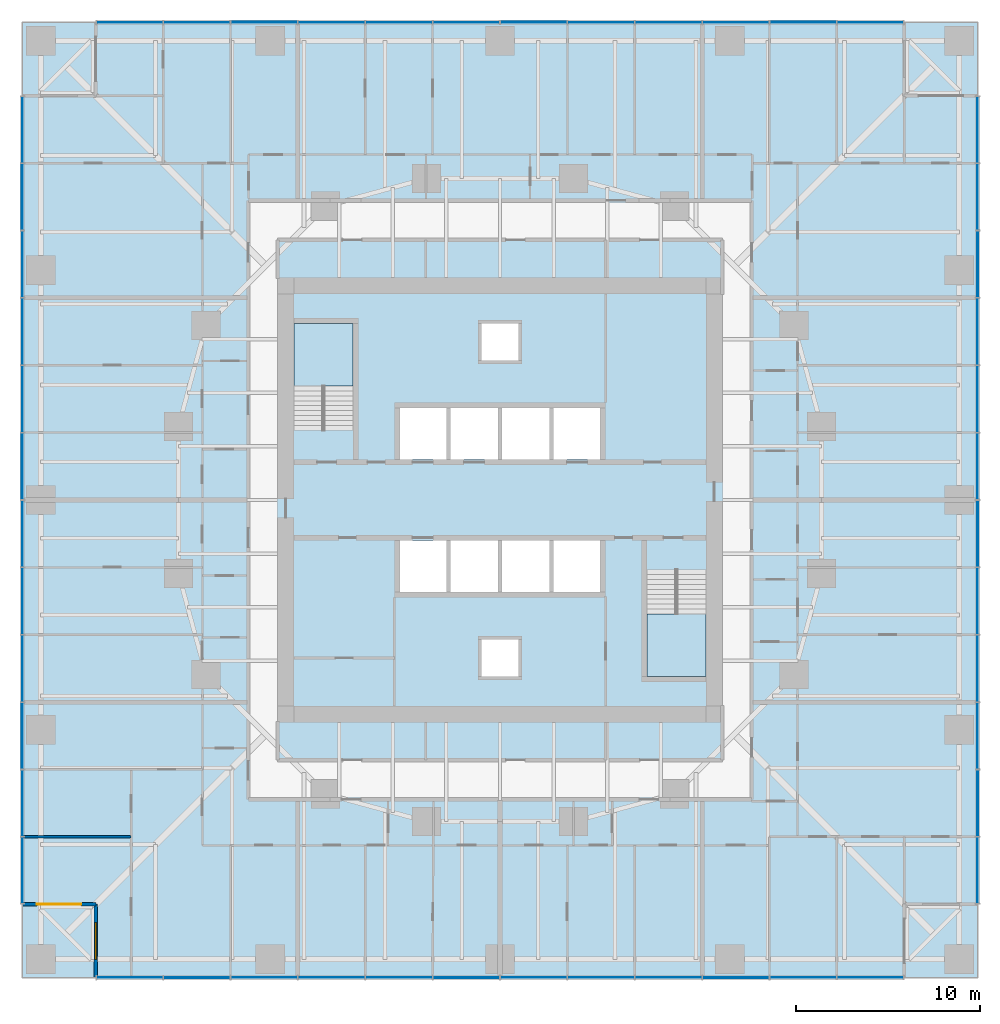
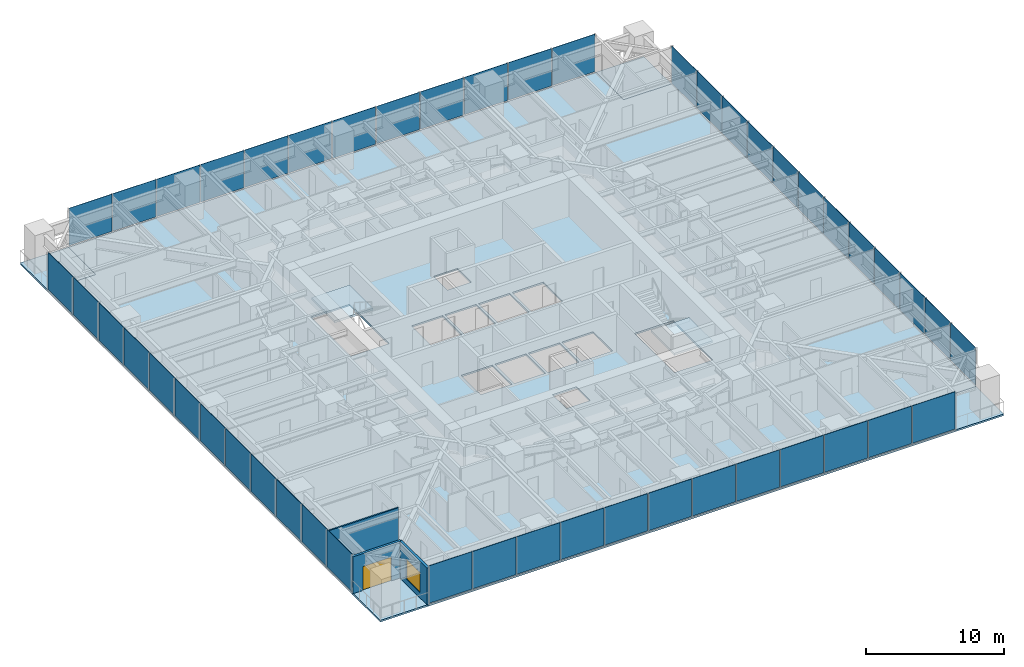
# One storey, part 7 of 14: 48 plates, 7 slabs, 3 walls, 1 door, 1 window, 2 openings, 6 elements without a shape of their own.
"""IFC4 building model written with IfcOpenShell, lengths in metres."""

from ifc_helpers import new_model, si_unit, direction, frame, frame_2d, origin, origin_2d, place, context, subcontext, project, spatial, polyline, rectangle, outline, extrude, material, layer, layer_set, type_object, element, fill, aggregate, save


model = new_model("IFC4")

# Units and contexts
model_context = context("Model", 3, precision=1e-05, world=origin(), true_north=direction((0.0, 1.0)))
body_context = subcontext(model_context, "Body", "Model", "MODEL_VIEW")
ifc_project = project(units=[si_unit("LENGTHUNIT", "METRE"), si_unit("AREAUNIT", "SQUARE_METRE"), si_unit("VOLUMEUNIT", "CUBIC_METRE"), si_unit("PLANEANGLEUNIT", "RADIAN"), si_unit("MASSUNIT", "GRAM", prefix="KILO")], contexts=[model_context])

# Site, building, storey
site_placement = place(None, origin())
site = spatial("IfcSite", under=ifc_project, at=site_placement, CompositionType="ELEMENT")
building_placement = place(site_placement, origin())
building = spatial("IfcBuilding", under=site, at=building_placement, Name="Torsade Residences", CompositionType="ELEMENT")
storey_placement = place(building_placement, frame((0.0, 0.0, 32.0)))
storey = spatial("IfcBuildingStorey", under=building, at=storey_placement, Name="L08", CompositionType="ELEMENT", Elevation=32.0)

# Slab
ifc_material_1 = material(Name="Concrete 40 MPa", Category="concrete")
ifc_layer_1 = layer(ifc_material_1, 0.14990234375)
ifc_layer_set_1 = layer_set([ifc_layer_1], Name="Concrete 40 MPa")
slab_type_1 = type_object("IfcSlabType", Name="COMPOSITE FLOOR SLAB 150", PredefinedType="FLOOR", material=ifc_layer_set_1)
slab_1_placement = place(storey_placement, frame((0.0, 0.0, -0.14990234375)))
element("IfcSlab", 1, at=slab_1_placement, inside=storey, type_object=slab_type_1, Name="Floor slab L08", PredefinedType="FLOOR", context=body_context, shape_type="SweptSolid", body=[
    extrude(outline(polyline([(18.0, 4.0), (62.0, 4.0), (62.0, 8.0), (66.0, 8.0), (66.0, 52.0), (62.0, 52.0), (62.0, 56.0), (18.0, 56.0), (18.0, 52.0), (14.0, 52.0), (14.0, 8.0), (18.0, 8.0), (18.0, 4.0)]), holes=[polyline([(51.199951171875, 20.39990234375), (51.199951171875, 26.1201171875), (48.0, 26.1201171875), (48.0, 20.39990234375), (51.199951171875, 20.39990234375)]), polyline([(45.5, 27.800048828125), (42.89990234375, 27.800048828125), (42.89990234375, 25.0), (45.5, 25.0), (45.5, 27.800048828125)]), polyline([(45.5, 32.199951171875), (45.5, 35.0), (42.89990234375, 35.0), (42.89990234375, 32.199951171875), (45.5, 32.199951171875)]), polyline([(42.699951171875, 25.0), (42.699951171875, 27.800048828125), (40.10009765625, 27.800048828125), (40.10009765625, 25.0), (42.699951171875, 25.0)]), polyline([(42.699951171875, 32.199951171875), (42.699951171875, 35.0), (40.10009765625, 35.0), (40.10009765625, 32.199951171875), (42.699951171875, 32.199951171875)]), polyline([(41.0, 22.39990234375), (39.0, 22.39990234375), (39.0, 20.39990234375), (41.0, 20.39990234375), (41.0, 22.39990234375)]), polyline([(41.0, 37.60009765625), (41.0, 39.60009765625), (39.0, 39.60009765625), (39.0, 37.60009765625), (41.0, 37.60009765625)]), polyline([(39.89990234375, 25.0), (39.89990234375, 27.800048828125), (37.300048828125, 27.800048828125), (37.300048828125, 25.0), (39.89990234375, 25.0)]), polyline([(39.89990234375, 35.0), (37.300048828125, 35.0), (37.300048828125, 32.199951171875), (39.89990234375, 32.199951171875), (39.89990234375, 35.0)]), polyline([(37.10009765625, 27.800048828125), (34.5, 27.800048828125), (34.5, 25.0), (37.10009765625, 25.0), (37.10009765625, 27.800048828125)]), polyline([(37.10009765625, 32.199951171875), (37.10009765625, 35.0), (34.5, 35.0), (34.5, 32.199951171875), (37.10009765625, 32.199951171875)]), polyline([(32.0, 33.8798828125), (32.0, 39.60009765625), (28.800048828125, 39.60009765625), (28.800048828125, 33.8798828125), (32.0, 33.8798828125)])]), origin(), (0.0, 0.0, 1.0), 0.14990234375),
])

# Curtain wall, plates
ifc_material_2 = material(Name="Aluminium and glass", Category="aluminium")
curtain_wall_type = type_object("IfcCurtainWallType", Name="FRITTED GLASS CURTAIN WALL LOW ZONE", PredefinedType="NOTDEFINED", material=ifc_material_2)
curtain_wall_1_placement = place(storey_placement, origin())
curtain_wall_1 = element("IfcCurtainWall", 2, at=curtain_wall_1_placement, inside=storey, type_object=curtain_wall_type, Name="Curtain wall L08 face 1", PredefinedType="NOTDEFINED")
ifc_material_3 = material(Name="Laminated glass", Category="glass")
ifc_layer_2 = layer(ifc_material_3, 0.031982421875)
ifc_layer_set_2 = layer_set([ifc_layer_2], Name="Laminated glass")
plate_type_1 = type_object("IfcPlateType", Name="FRITTED GLASS PANEL", PredefinedType="CURTAIN_PANEL", material=ifc_layer_set_2)
plate_1_placement = place(storey_placement, frame((19.849609375, 4.0, 0.10009765625), z_axis=(0.0, 0.0, 1.0), x_axis=(1.0, 0.0, 0.0)))
plate_1 = element("IfcPlate", 3, at=plate_1_placement, type_object=plate_type_1, Name="Panel 1", PredefinedType="CURTAIN_PANEL", context=body_context, shape_type="SweptSolid", body=[
    extrude(rectangle(XDim=3.569091796875, YDim=0.031982421875, at=origin_2d()), origin(), (0.0, 0.0, 1.0), 3.300048828125),
])
plate_2_placement = place(storey_placement, frame((27.166748046875, 4.0, 0.10009765625), z_axis=(0.0, 0.0, 1.0), x_axis=(1.0, 0.0, 0.0)))
plate_2 = element("IfcPlate", 4, at=plate_2_placement, type_object=plate_type_1, Name="Panel 3", PredefinedType="CURTAIN_PANEL", context=body_context, shape_type="SweptSolid", body=[
    extrude(rectangle(XDim=3.6015625, YDim=0.031982421875, at=origin_2d()), origin(), (0.0, 0.0, 1.0), 3.300048828125),
])
plate_3_placement = place(storey_placement, frame((30.833251953125, 4.0, 0.10009765625), z_axis=(0.0, 0.0, 1.0), x_axis=(1.0, 0.0, 0.0)))
plate_3 = element("IfcPlate", 5, at=plate_3_placement, type_object=plate_type_1, Name="Panel 4", PredefinedType="CURTAIN_PANEL", context=body_context, shape_type="SweptSolid", body=[
    extrude(rectangle(XDim=3.6015625, YDim=0.031982421875, at=origin_2d()), origin(), (0.0, 0.0, 1.0), 3.300048828125),
])
plate_4_placement = place(storey_placement, frame((34.5, 4.0, 0.10009765625), z_axis=(0.0, 0.0, 1.0), x_axis=(1.0, 0.0, 0.0)))
plate_4 = element("IfcPlate", 6, at=plate_4_placement, type_object=plate_type_1, Name="Panel 5", PredefinedType="CURTAIN_PANEL", context=body_context, shape_type="SweptSolid", body=[
    extrude(rectangle(XDim=3.6015625, YDim=0.031982421875, at=origin_2d()), origin(), (0.0, 0.0, 1.0), 3.300048828125),
])
plate_5_placement = place(storey_placement, frame((41.833251953125, 4.0, 0.10009765625), z_axis=(0.0, 0.0, 1.0), x_axis=(1.0, 0.0, 0.0)))
plate_5 = element("IfcPlate", 7, at=plate_5_placement, type_object=plate_type_1, Name="Panel 7", PredefinedType="CURTAIN_PANEL", context=body_context, shape_type="SweptSolid", body=[
    extrude(rectangle(XDim=3.6015625, YDim=0.031982421875, at=origin_2d()), origin(), (0.0, 0.0, 1.0), 3.300048828125),
])
plate_6_placement = place(storey_placement, frame((45.5, 4.0, 0.10009765625), z_axis=(0.0, 0.0, 1.0), x_axis=(1.0, 0.0, 0.0)))
plate_6 = element("IfcPlate", 8, at=plate_6_placement, type_object=plate_type_1, Name="Panel 8", PredefinedType="CURTAIN_PANEL", context=body_context, shape_type="SweptSolid", body=[
    extrude(rectangle(XDim=3.6015625, YDim=0.031982421875, at=origin_2d()), origin(), (0.0, 0.0, 1.0), 3.300048828125),
])
plate_7_placement = place(storey_placement, frame((49.166748046875, 4.0, 0.10009765625), z_axis=(0.0, 0.0, 1.0), x_axis=(1.0, 0.0, 0.0)))
plate_7 = element("IfcPlate", 9, at=plate_7_placement, type_object=plate_type_1, Name="Panel 9", PredefinedType="CURTAIN_PANEL", context=body_context, shape_type="SweptSolid", body=[
    extrude(rectangle(XDim=3.6015625, YDim=0.031982421875, at=origin_2d()), origin(), (0.0, 0.0, 1.0), 3.300048828125),
])
plate_8_placement = place(storey_placement, frame((56.5, 4.0, 0.10009765625), z_axis=(0.0, 0.0, 1.0), x_axis=(1.0, 0.0, 0.0)))
plate_8 = element("IfcPlate", 10, at=plate_8_placement, type_object=plate_type_1, Name="Panel 11", PredefinedType="CURTAIN_PANEL", context=body_context, shape_type="SweptSolid", body=[
    extrude(rectangle(XDim=3.6015625, YDim=0.031982421875, at=origin_2d()), origin(), (0.0, 0.0, 1.0), 3.300048828125),
])
plate_9_placement = place(storey_placement, frame((60.150390625, 4.0, 0.10009765625), z_axis=(0.0, 0.0, 1.0), x_axis=(1.0, 0.0, 0.0)))
plate_9 = element("IfcPlate", 11, at=plate_9_placement, type_object=plate_type_1, Name="Panel 12", PredefinedType="CURTAIN_PANEL", context=body_context, shape_type="SweptSolid", body=[
    extrude(rectangle(XDim=3.569091796875, YDim=0.031982421875, at=origin_2d()), origin(), (0.0, 0.0, 1.0), 3.300048828125),
])

curtain_wall_2_placement = place(storey_placement, origin())
curtain_wall_2 = element("IfcCurtainWall", 12, at=curtain_wall_2_placement, inside=storey, type_object=curtain_wall_type, Name="Curtain wall L08 face 4", PredefinedType="NOTDEFINED")
plate_10_placement = place(storey_placement, frame((66.0, 9.849609375, 0.10009765625), z_axis=(0.0, 0.0, 1.0), x_axis=(0.0, 1.0, 0.0)))
plate_10 = element("IfcPlate", 13, at=plate_10_placement, type_object=plate_type_1, Name="Panel 1", PredefinedType="CURTAIN_PANEL", context=body_context, shape_type="SweptSolid", body=[
    extrude(rectangle(XDim=3.569091796875, YDim=0.031982421875, at=origin_2d()), origin(), (0.0, 0.0, 1.0), 3.300048828125),
])
plate_11_placement = place(storey_placement, frame((66.0, 17.166748046875, 0.10009765625), z_axis=(0.0, 0.0, 1.0), x_axis=(0.0, 1.0, 0.0)))
plate_11 = element("IfcPlate", 14, at=plate_11_placement, type_object=plate_type_1, Name="Panel 3", PredefinedType="CURTAIN_PANEL", context=body_context, shape_type="SweptSolid", body=[
    extrude(rectangle(XDim=3.6015625, YDim=0.031982421875, at=origin_2d()), origin(), (0.0, 0.0, 1.0), 3.300048828125),
])
plate_12_placement = place(storey_placement, frame((66.0, 20.833251953125, 0.10009765625), z_axis=(0.0, 0.0, 1.0), x_axis=(0.0, 1.0, 0.0)))
plate_12 = element("IfcPlate", 15, at=plate_12_placement, type_object=plate_type_1, Name="Panel 4", PredefinedType="CURTAIN_PANEL", context=body_context, shape_type="SweptSolid", body=[
    extrude(rectangle(XDim=3.6015625, YDim=0.031982421875, at=origin_2d()), origin(), (0.0, 0.0, 1.0), 3.300048828125),
])
plate_13_placement = place(storey_placement, frame((66.0, 24.5, 0.10009765625), z_axis=(0.0, 0.0, 1.0), x_axis=(0.0, 1.0, 0.0)))
plate_13 = element("IfcPlate", 16, at=plate_13_placement, type_object=plate_type_1, Name="Panel 5", PredefinedType="CURTAIN_PANEL", context=body_context, shape_type="SweptSolid", body=[
    extrude(rectangle(XDim=3.6015625, YDim=0.031982421875, at=origin_2d()), origin(), (0.0, 0.0, 1.0), 3.300048828125),
])
plate_14_placement = place(storey_placement, frame((66.0, 31.833251953125, 0.10009765625), z_axis=(0.0, 0.0, 1.0), x_axis=(0.0, 1.0, 0.0)))
plate_14 = element("IfcPlate", 17, at=plate_14_placement, type_object=plate_type_1, Name="Panel 7", PredefinedType="CURTAIN_PANEL", context=body_context, shape_type="SweptSolid", body=[
    extrude(rectangle(XDim=3.6015625, YDim=0.031982421875, at=origin_2d()), origin(), (0.0, 0.0, 1.0), 3.300048828125),
])
plate_15_placement = place(storey_placement, frame((66.0, 35.5, 0.10009765625), z_axis=(0.0, 0.0, 1.0), x_axis=(0.0, 1.0, 0.0)))
plate_15 = element("IfcPlate", 18, at=plate_15_placement, type_object=plate_type_1, Name="Panel 8", PredefinedType="CURTAIN_PANEL", context=body_context, shape_type="SweptSolid", body=[
    extrude(rectangle(XDim=3.6015625, YDim=0.031982421875, at=origin_2d()), origin(), (0.0, 0.0, 1.0), 3.300048828125),
])
plate_16_placement = place(storey_placement, frame((66.0, 39.166748046875, 0.10009765625), z_axis=(0.0, 0.0, 1.0), x_axis=(0.0, 1.0, 0.0)))
plate_16 = element("IfcPlate", 19, at=plate_16_placement, type_object=plate_type_1, Name="Panel 9", PredefinedType="CURTAIN_PANEL", context=body_context, shape_type="SweptSolid", body=[
    extrude(rectangle(XDim=3.6015625, YDim=0.031982421875, at=origin_2d()), origin(), (0.0, 0.0, 1.0), 3.300048828125),
])
plate_17_placement = place(storey_placement, frame((66.0, 46.5, 0.10009765625), z_axis=(0.0, 0.0, 1.0), x_axis=(0.0, 1.0, 0.0)))
plate_17 = element("IfcPlate", 20, at=plate_17_placement, type_object=plate_type_1, Name="Panel 11", PredefinedType="CURTAIN_PANEL", context=body_context, shape_type="SweptSolid", body=[
    extrude(rectangle(XDim=3.6015625, YDim=0.031982421875, at=origin_2d()), origin(), (0.0, 0.0, 1.0), 3.300048828125),
])
plate_18_placement = place(storey_placement, frame((66.0, 50.150390625, 0.10009765625), z_axis=(0.0, 0.0, 1.0), x_axis=(0.0, 1.0, 0.0)))
plate_18 = element("IfcPlate", 21, at=plate_18_placement, type_object=plate_type_1, Name="Panel 12", PredefinedType="CURTAIN_PANEL", context=body_context, shape_type="SweptSolid", body=[
    extrude(rectangle(XDim=3.569091796875, YDim=0.031982421875, at=origin_2d()), origin(), (0.0, 0.0, 1.0), 3.300048828125),
])

curtain_wall_3_placement = place(storey_placement, origin())
curtain_wall_3 = element("IfcCurtainWall", 22, at=curtain_wall_3_placement, inside=storey, type_object=curtain_wall_type, Name="Curtain wall L08 face 7", PredefinedType="NOTDEFINED")
plate_19_placement = place(storey_placement, frame((60.150390625, 56.0, 0.10009765625), z_axis=(0.0, 0.0, 1.0), x_axis=(-1.0, 0.0, 0.0)))
plate_19 = element("IfcPlate", 23, at=plate_19_placement, type_object=plate_type_1, Name="Panel 1", PredefinedType="CURTAIN_PANEL", context=body_context, shape_type="SweptSolid", body=[
    extrude(rectangle(XDim=3.569091796875, YDim=0.031982421875, at=origin_2d()), origin(), (0.0, 0.0, 1.0), 3.300048828125),
])
plate_20_placement = place(storey_placement, frame((52.833251953125, 56.0, 0.10009765625), z_axis=(0.0, 0.0, 1.0), x_axis=(-1.0, 0.0, 0.0)))
plate_20 = element("IfcPlate", 24, at=plate_20_placement, type_object=plate_type_1, Name="Panel 3", PredefinedType="CURTAIN_PANEL", context=body_context, shape_type="SweptSolid", body=[
    extrude(rectangle(XDim=3.6015625, YDim=0.031982421875, at=origin_2d()), origin(), (0.0, 0.0, 1.0), 3.300048828125),
])
plate_21_placement = place(storey_placement, frame((49.166748046875, 56.0, 0.10009765625), z_axis=(0.0, 0.0, 1.0), x_axis=(-1.0, 0.0, 0.0)))
plate_21 = element("IfcPlate", 25, at=plate_21_placement, type_object=plate_type_1, Name="Panel 4", PredefinedType="CURTAIN_PANEL", context=body_context, shape_type="SweptSolid", body=[
    extrude(rectangle(XDim=3.6015625, YDim=0.031982421875, at=origin_2d()), origin(), (0.0, 0.0, 1.0), 3.300048828125),
])
plate_22_placement = place(storey_placement, frame((45.5, 56.0, 0.10009765625), z_axis=(0.0, 0.0, 1.0), x_axis=(-1.0, 0.0, 0.0)))
plate_22 = element("IfcPlate", 26, at=plate_22_placement, type_object=plate_type_1, Name="Panel 5", PredefinedType="CURTAIN_PANEL", context=body_context, shape_type="SweptSolid", body=[
    extrude(rectangle(XDim=3.6015625, YDim=0.031982421875, at=origin_2d()), origin(), (0.0, 0.0, 1.0), 3.300048828125),
])
plate_23_placement = place(storey_placement, frame((38.166748046875, 56.0, 0.10009765625), z_axis=(0.0, 0.0, 1.0), x_axis=(-1.0, 0.0, 0.0)))
plate_23 = element("IfcPlate", 27, at=plate_23_placement, type_object=plate_type_1, Name="Panel 7", PredefinedType="CURTAIN_PANEL", context=body_context, shape_type="SweptSolid", body=[
    extrude(rectangle(XDim=3.6015625, YDim=0.031982421875, at=origin_2d()), origin(), (0.0, 0.0, 1.0), 3.300048828125),
])
plate_24_placement = place(storey_placement, frame((34.5, 56.0, 0.10009765625), z_axis=(0.0, 0.0, 1.0), x_axis=(-1.0, 0.0, 0.0)))
plate_24 = element("IfcPlate", 28, at=plate_24_placement, type_object=plate_type_1, Name="Panel 8", PredefinedType="CURTAIN_PANEL", context=body_context, shape_type="SweptSolid", body=[
    extrude(rectangle(XDim=3.6015625, YDim=0.031982421875, at=origin_2d()), origin(), (0.0, 0.0, 1.0), 3.300048828125),
])
plate_25_placement = place(storey_placement, frame((30.833251953125, 56.0, 0.10009765625), z_axis=(0.0, 0.0, 1.0), x_axis=(-1.0, 0.0, 0.0)))
plate_25 = element("IfcPlate", 29, at=plate_25_placement, type_object=plate_type_1, Name="Panel 9", PredefinedType="CURTAIN_PANEL", context=body_context, shape_type="SweptSolid", body=[
    extrude(rectangle(XDim=3.6015625, YDim=0.031982421875, at=origin_2d()), origin(), (0.0, 0.0, 1.0), 3.300048828125),
])
plate_26_placement = place(storey_placement, frame((23.5, 56.0, 0.10009765625), z_axis=(0.0, 0.0, 1.0), x_axis=(-1.0, 0.0, 0.0)))
plate_26 = element("IfcPlate", 30, at=plate_26_placement, type_object=plate_type_1, Name="Panel 11", PredefinedType="CURTAIN_PANEL", context=body_context, shape_type="SweptSolid", body=[
    extrude(rectangle(XDim=3.6015625, YDim=0.031982421875, at=origin_2d()), origin(), (0.0, 0.0, 1.0), 3.300048828125),
])
plate_27_placement = place(storey_placement, frame((19.849609375, 56.0, 0.10009765625), z_axis=(0.0, 0.0, 1.0), x_axis=(-1.0, 0.0, 0.0)))
plate_27 = element("IfcPlate", 31, at=plate_27_placement, type_object=plate_type_1, Name="Panel 12", PredefinedType="CURTAIN_PANEL", context=body_context, shape_type="SweptSolid", body=[
    extrude(rectangle(XDim=3.569091796875, YDim=0.031982421875, at=origin_2d()), origin(), (0.0, 0.0, 1.0), 3.300048828125),
])

curtain_wall_4_placement = place(storey_placement, origin())
curtain_wall_4 = element("IfcCurtainWall", 32, at=curtain_wall_4_placement, inside=storey, type_object=curtain_wall_type, Name="Curtain wall L08 face 10", PredefinedType="NOTDEFINED")
plate_28_placement = place(storey_placement, frame((14.0, 50.150390625, 0.10009765625), z_axis=(0.0, 0.0, 1.0), x_axis=(0.0, -1.0, 0.0)))
plate_28 = element("IfcPlate", 33, at=plate_28_placement, type_object=plate_type_1, Name="Panel 1", PredefinedType="CURTAIN_PANEL", context=body_context, shape_type="SweptSolid", body=[
    extrude(rectangle(XDim=3.569091796875, YDim=0.031982421875, at=origin_2d()), origin(), (0.0, 0.0, 1.0), 3.300048828125),
])
plate_29_placement = place(storey_placement, frame((14.0, 42.833251953125, 0.10009765625), z_axis=(0.0, 0.0, 1.0), x_axis=(0.0, -1.0, 0.0)))
plate_29 = element("IfcPlate", 34, at=plate_29_placement, type_object=plate_type_1, Name="Panel 3", PredefinedType="CURTAIN_PANEL", context=body_context, shape_type="SweptSolid", body=[
    extrude(rectangle(XDim=3.6015625, YDim=0.031982421875, at=origin_2d()), origin(), (0.0, 0.0, 1.0), 3.300048828125),
])
plate_30_placement = place(storey_placement, frame((14.0, 39.166748046875, 0.10009765625), z_axis=(0.0, 0.0, 1.0), x_axis=(0.0, -1.0, 0.0)))
plate_30 = element("IfcPlate", 35, at=plate_30_placement, type_object=plate_type_1, Name="Panel 4", PredefinedType="CURTAIN_PANEL", context=body_context, shape_type="SweptSolid", body=[
    extrude(rectangle(XDim=3.6015625, YDim=0.031982421875, at=origin_2d()), origin(), (0.0, 0.0, 1.0), 3.300048828125),
])
plate_31_placement = place(storey_placement, frame((14.0, 35.5, 0.10009765625), z_axis=(0.0, 0.0, 1.0), x_axis=(0.0, -1.0, 0.0)))
plate_31 = element("IfcPlate", 36, at=plate_31_placement, type_object=plate_type_1, Name="Panel 5", PredefinedType="CURTAIN_PANEL", context=body_context, shape_type="SweptSolid", body=[
    extrude(rectangle(XDim=3.6015625, YDim=0.031982421875, at=origin_2d()), origin(), (0.0, 0.0, 1.0), 3.300048828125),
])
plate_32_placement = place(storey_placement, frame((14.0, 28.166748046875, 0.10009765625), z_axis=(0.0, 0.0, 1.0), x_axis=(0.0, -1.0, 0.0)))
plate_32 = element("IfcPlate", 37, at=plate_32_placement, type_object=plate_type_1, Name="Panel 7", PredefinedType="CURTAIN_PANEL", context=body_context, shape_type="SweptSolid", body=[
    extrude(rectangle(XDim=3.6015625, YDim=0.031982421875, at=origin_2d()), origin(), (0.0, 0.0, 1.0), 3.300048828125),
])
plate_33_placement = place(storey_placement, frame((14.0, 24.5, 0.10009765625), z_axis=(0.0, 0.0, 1.0), x_axis=(0.0, -1.0, 0.0)))
plate_33 = element("IfcPlate", 38, at=plate_33_placement, type_object=plate_type_1, Name="Panel 8", PredefinedType="CURTAIN_PANEL", context=body_context, shape_type="SweptSolid", body=[
    extrude(rectangle(XDim=3.6015625, YDim=0.031982421875, at=origin_2d()), origin(), (0.0, 0.0, 1.0), 3.300048828125),
])
plate_34_placement = place(storey_placement, frame((14.0, 20.833251953125, 0.10009765625), z_axis=(0.0, 0.0, 1.0), x_axis=(0.0, -1.0, 0.0)))
plate_34 = element("IfcPlate", 39, at=plate_34_placement, type_object=plate_type_1, Name="Panel 9", PredefinedType="CURTAIN_PANEL", context=body_context, shape_type="SweptSolid", body=[
    extrude(rectangle(XDim=3.6015625, YDim=0.031982421875, at=origin_2d()), origin(), (0.0, 0.0, 1.0), 3.300048828125),
])
plate_35_placement = place(storey_placement, frame((14.0, 13.5, 0.10009765625), z_axis=(0.0, 0.0, 1.0), x_axis=(0.0, -1.0, 0.0)))
plate_35 = element("IfcPlate", 40, at=plate_35_placement, type_object=plate_type_1, Name="Panel 11", PredefinedType="CURTAIN_PANEL", context=body_context, shape_type="SweptSolid", body=[
    extrude(rectangle(XDim=3.6015625, YDim=0.031982421875, at=origin_2d()), origin(), (0.0, 0.0, 1.0), 3.300048828125),
])
plate_36_placement = place(storey_placement, frame((14.0, 9.849609375, 0.10009765625), z_axis=(0.0, 0.0, 1.0), x_axis=(0.0, -1.0, 0.0)))
plate_36 = element("IfcPlate", 41, at=plate_36_placement, type_object=plate_type_1, Name="Panel 12", PredefinedType="CURTAIN_PANEL", context=body_context, shape_type="SweptSolid", body=[
    extrude(rectangle(XDim=3.569091796875, YDim=0.031982421875, at=origin_2d()), origin(), (0.0, 0.0, 1.0), 3.300048828125),
])

# Plate
ifc_material_4 = material(Name="Laminated glass", Category="glass")
ifc_layer_3 = layer(ifc_material_4, 0.0400390625)
ifc_layer_set_3 = layer_set([ifc_layer_3], Name="Laminated glass")
plate_type_2 = type_object("IfcPlateType", Name="OPERABLE VENT PANEL", PredefinedType="CURTAIN_PANEL", material=ifc_layer_set_3)
plate_37_placement = place(storey_placement, frame((23.5, 4.0, 0.10009765625), z_axis=(0.0, 0.0, 1.0), x_axis=(1.0, 0.0, 0.0)))
plate_37 = element("IfcPlate", 42, at=plate_37_placement, type_object=plate_type_2, Name="Panel 2", PredefinedType="CURTAIN_PANEL", context=body_context, shape_type="SweptSolid", body=[
    extrude(rectangle(XDim=3.6015625, YDim=0.0400390625, at=origin_2d()), origin(), (0.0, 0.0, 1.0), 3.300048828125),
])

plate_38_placement = place(storey_placement, frame((38.166748046875, 4.0, 0.10009765625), z_axis=(0.0, 0.0, 1.0), x_axis=(1.0, 0.0, 0.0)))
plate_38 = element("IfcPlate", 43, at=plate_38_placement, type_object=plate_type_2, Name="Panel 6", PredefinedType="CURTAIN_PANEL", context=body_context, shape_type="SweptSolid", body=[
    extrude(rectangle(XDim=3.6015625, YDim=0.0400390625, at=origin_2d()), origin(), (0.0, 0.0, 1.0), 3.300048828125),
])

plate_39_placement = place(storey_placement, frame((52.833251953125, 4.0, 0.10009765625), z_axis=(0.0, 0.0, 1.0), x_axis=(1.0, 0.0, 0.0)))
plate_39 = element("IfcPlate", 44, at=plate_39_placement, type_object=plate_type_2, Name="Panel 10", PredefinedType="CURTAIN_PANEL", context=body_context, shape_type="SweptSolid", body=[
    extrude(rectangle(XDim=3.6015625, YDim=0.0400390625, at=origin_2d()), origin(), (0.0, 0.0, 1.0), 3.300048828125),
])

aggregate(curtain_wall_1, [plate_1, plate_37, plate_2, plate_3, plate_4, plate_38, plate_5, plate_6, plate_7, plate_39, plate_8, plate_9])

plate_40_placement = place(storey_placement, frame((66.0, 13.5, 0.10009765625), z_axis=(0.0, 0.0, 1.0), x_axis=(0.0, 1.0, 0.0)))
plate_40 = element("IfcPlate", 45, at=plate_40_placement, type_object=plate_type_2, Name="Panel 2", PredefinedType="CURTAIN_PANEL", context=body_context, shape_type="SweptSolid", body=[
    extrude(rectangle(XDim=3.6015625, YDim=0.0400390625, at=origin_2d()), origin(), (0.0, 0.0, 1.0), 3.300048828125),
])

plate_41_placement = place(storey_placement, frame((66.0, 28.166748046875, 0.10009765625), z_axis=(0.0, 0.0, 1.0), x_axis=(0.0, 1.0, 0.0)))
plate_41 = element("IfcPlate", 46, at=plate_41_placement, type_object=plate_type_2, Name="Panel 6", PredefinedType="CURTAIN_PANEL", context=body_context, shape_type="SweptSolid", body=[
    extrude(rectangle(XDim=3.6015625, YDim=0.0400390625, at=origin_2d()), origin(), (0.0, 0.0, 1.0), 3.300048828125),
])

plate_42_placement = place(storey_placement, frame((66.0, 42.833251953125, 0.10009765625), z_axis=(0.0, 0.0, 1.0), x_axis=(0.0, 1.0, 0.0)))
plate_42 = element("IfcPlate", 47, at=plate_42_placement, type_object=plate_type_2, Name="Panel 10", PredefinedType="CURTAIN_PANEL", context=body_context, shape_type="SweptSolid", body=[
    extrude(rectangle(XDim=3.6015625, YDim=0.0400390625, at=origin_2d()), origin(), (0.0, 0.0, 1.0), 3.300048828125),
])

aggregate(curtain_wall_2, [plate_10, plate_40, plate_11, plate_12, plate_13, plate_41, plate_14, plate_15, plate_16, plate_42, plate_17, plate_18])

plate_43_placement = place(storey_placement, frame((56.5, 56.0, 0.10009765625), z_axis=(0.0, 0.0, 1.0), x_axis=(-1.0, 0.0, 0.0)))
plate_43 = element("IfcPlate", 48, at=plate_43_placement, type_object=plate_type_2, Name="Panel 2", PredefinedType="CURTAIN_PANEL", context=body_context, shape_type="SweptSolid", body=[
    extrude(rectangle(XDim=3.6015625, YDim=0.0400390625, at=origin_2d()), origin(), (0.0, 0.0, 1.0), 3.300048828125),
])

plate_44_placement = place(storey_placement, frame((41.833251953125, 56.0, 0.10009765625), z_axis=(0.0, 0.0, 1.0), x_axis=(-1.0, 0.0, 0.0)))
plate_44 = element("IfcPlate", 49, at=plate_44_placement, type_object=plate_type_2, Name="Panel 6", PredefinedType="CURTAIN_PANEL", context=body_context, shape_type="SweptSolid", body=[
    extrude(rectangle(XDim=3.6015625, YDim=0.0400390625, at=origin_2d()), origin(), (0.0, 0.0, 1.0), 3.300048828125),
])

plate_45_placement = place(storey_placement, frame((27.166748046875, 56.0, 0.10009765625), z_axis=(0.0, 0.0, 1.0), x_axis=(-1.0, 0.0, 0.0)))
plate_45 = element("IfcPlate", 50, at=plate_45_placement, type_object=plate_type_2, Name="Panel 10", PredefinedType="CURTAIN_PANEL", context=body_context, shape_type="SweptSolid", body=[
    extrude(rectangle(XDim=3.6015625, YDim=0.0400390625, at=origin_2d()), origin(), (0.0, 0.0, 1.0), 3.300048828125),
])

aggregate(curtain_wall_3, [plate_19, plate_43, plate_20, plate_21, plate_22, plate_44, plate_23, plate_24, plate_25, plate_45, plate_26, plate_27])

plate_46_placement = place(storey_placement, frame((14.0, 46.5, 0.10009765625), z_axis=(0.0, 0.0, 1.0), x_axis=(0.0, -1.0, 0.0)))
plate_46 = element("IfcPlate", 51, at=plate_46_placement, type_object=plate_type_2, Name="Panel 2", PredefinedType="CURTAIN_PANEL", context=body_context, shape_type="SweptSolid", body=[
    extrude(rectangle(XDim=3.6015625, YDim=0.0400390625, at=origin_2d()), origin(), (0.0, 0.0, 1.0), 3.300048828125),
])

plate_47_placement = place(storey_placement, frame((14.0, 31.833251953125, 0.10009765625), z_axis=(0.0, 0.0, 1.0), x_axis=(0.0, -1.0, 0.0)))
plate_47 = element("IfcPlate", 52, at=plate_47_placement, type_object=plate_type_2, Name="Panel 6", PredefinedType="CURTAIN_PANEL", context=body_context, shape_type="SweptSolid", body=[
    extrude(rectangle(XDim=3.6015625, YDim=0.0400390625, at=origin_2d()), origin(), (0.0, 0.0, 1.0), 3.300048828125),
])

plate_48_placement = place(storey_placement, frame((14.0, 17.166748046875, 0.10009765625), z_axis=(0.0, 0.0, 1.0), x_axis=(0.0, -1.0, 0.0)))
plate_48 = element("IfcPlate", 53, at=plate_48_placement, type_object=plate_type_2, Name="Panel 10", PredefinedType="CURTAIN_PANEL", context=body_context, shape_type="SweptSolid", body=[
    extrude(rectangle(XDim=3.6015625, YDim=0.0400390625, at=origin_2d()), origin(), (0.0, 0.0, 1.0), 3.300048828125),
])

aggregate(curtain_wall_4, [plate_28, plate_46, plate_29, plate_30, plate_31, plate_47, plate_32, plate_33, plate_34, plate_48, plate_35, plate_36])

# Stair, slab
ifc_material_5 = material(Name="Precast concrete 40 MPa", Category="concrete")
stair_type = type_object("IfcStairType", Name="HALF-TURN FIRE STAIR 1500x3400", PredefinedType="HALF_TURN_STAIR", material=ifc_material_5)
stair_1_placement = place(storey_placement, origin())
stair_1 = element("IfcStair", 54, at=stair_1_placement, inside=storey, type_object=stair_type, Name="Stair ST1 L08", PredefinedType="HALF_TURN_STAIR")
ifc_material_6 = material(Name="Precast concrete 40 MPa", Category="concrete")
ifc_layer_4 = layer(ifc_material_6, 0.179931640625)
ifc_layer_set_4 = layer_set([ifc_layer_4], Name="Precast concrete 40 MPa")
slab_type_2 = type_object("IfcSlabType", Name="PRECAST STAIR LANDING 180", PredefinedType="LANDING", material=ifc_layer_set_4)
slab_2_placement = place(storey_placement, frame((0.0, 0.0, 1.52001953125)))
slab_2 = element("IfcSlab", 55, at=slab_2_placement, type_object=slab_type_2, Name="ST1 landing 1", PredefinedType="LANDING", context=body_context, shape_type="SweptSolid", body=[
    extrude(outline(polyline([(28.800048828125, 36.2099609375), (32.0, 36.2099609375), (32.0, 39.60009765625), (28.800048828125, 39.60009765625), (28.800048828125, 36.2099609375)])), origin(), (0.0, 0.0, 1.0), 0.179931640625),
])
aggregate(stair_1, [slab_2])

stair_2_placement = place(storey_placement, origin())
stair_2 = element("IfcStair", 56, at=stair_2_placement, inside=storey, type_object=stair_type, Name="Stair ST2 L08", PredefinedType="HALF_TURN_STAIR")
slab_3_placement = place(storey_placement, frame((0.0, 0.0, 1.52001953125)))
slab_3 = element("IfcSlab", 57, at=slab_3_placement, type_object=slab_type_2, Name="ST2 landing 1", PredefinedType="LANDING", context=body_context, shape_type="SweptSolid", body=[
    extrude(outline(polyline([(48.0, 20.39990234375), (51.199951171875, 20.39990234375), (51.199951171875, 23.7900390625), (48.0, 23.7900390625), (48.0, 20.39990234375)])), origin(), (0.0, 0.0, 1.0), 0.179931640625),
])
aggregate(stair_2, [slab_3])

# Slabs
ifc_material_7 = material(Name="Concrete 40 MPa", Category="concrete")
ifc_layer_5 = layer(ifc_material_7, 0.14990234375)
ifc_layer_set_5 = layer_set([ifc_layer_5], Name="Concrete 40 MPa")
slab_type_3 = type_object("IfcSlabType", Name="TERRACE SLAB 150", PredefinedType="FLOOR", material=ifc_layer_set_5)
slab_4_placement = place(storey_placement, frame((0.0, 0.0, -0.14990234375)))
element("IfcSlab", 58, at=slab_4_placement, inside=storey, type_object=slab_type_3, Name="Corner terrace slab SE L08", PredefinedType="FLOOR", context=body_context, shape_type="SweptSolid", body=[
    extrude(outline(polyline([(62.0, 4.0), (66.0, 4.0), (66.0, 8.0), (62.0, 8.0), (62.0, 4.0)])), origin(), (0.0, 0.0, 1.0), 0.14990234375),
])
slab_5_placement = place(storey_placement, frame((0.0, 0.0, -0.14990234375)))
element("IfcSlab", 59, at=slab_5_placement, inside=storey, type_object=slab_type_3, Name="Corner terrace slab NE L08", PredefinedType="FLOOR", context=body_context, shape_type="SweptSolid", body=[
    extrude(outline(polyline([(62.0, 52.0), (66.0, 52.0), (66.0, 56.0), (62.0, 56.0), (62.0, 52.0)])), origin(), (0.0, 0.0, 1.0), 0.14990234375),
])
slab_6_placement = place(storey_placement, frame((0.0, 0.0, -0.14990234375)))
element("IfcSlab", 60, at=slab_6_placement, inside=storey, type_object=slab_type_3, Name="Corner terrace slab NW L08", PredefinedType="FLOOR", context=body_context, shape_type="SweptSolid", body=[
    extrude(outline(polyline([(14.0, 52.0), (18.0, 52.0), (18.0, 56.0), (14.0, 56.0), (14.0, 52.0)])), origin(), (0.0, 0.0, 1.0), 0.14990234375),
])
slab_7_placement = place(storey_placement, frame((0.0, 0.0, -0.14990234375)))
element("IfcSlab", 61, at=slab_7_placement, inside=storey, type_object=slab_type_3, Name="Corner terrace slab SW L08", PredefinedType="FLOOR", context=body_context, shape_type="SweptSolid", body=[
    extrude(outline(polyline([(14.0, 4.0), (18.0, 4.0), (18.0, 8.0), (14.0, 8.0), (14.0, 4.0)])), origin(), (0.0, 0.0, 1.0), 0.14990234375),
])

# Wall
ifc_material_8 = material(Name="Plasterboard on steel stud", Category="steel")
ifc_layer_6 = layer(ifc_material_8, 0.1201171875)
ifc_layer_set_6 = layer_set([ifc_layer_6], Name="Plasterboard on steel stud")
wall_type_1 = type_object("IfcWallType", Name="PARTITION 120", PredefinedType="PARTITIONING", material=ifc_layer_set_6)
wall_1_placement = place(storey_placement, frame((14.0400390625, 11.666748046875, 0.0), z_axis=(0.0, 0.0, 1.0), x_axis=(1.0, 0.0, 0.0)))
element("IfcWall", 62, at=wall_1_placement, inside=storey, type_object=wall_type_1, Name="Partition L08", PredefinedType="PARTITIONING", context=body_context, shape_type="SweptSolid", body=[
    extrude(rectangle(XDim=5.886962890625, YDim=0.1201171875, at=frame_2d((2.943359375, 0.0))), origin(), (0.0, 0.0, 1.0), 3.25),
])

# Wall, opening, door
ifc_material_9 = material(Name="Stone-faced precast concrete 40 MPa panel", Category="masonry")
ifc_layer_7 = layer(ifc_material_9, 0.199951171875)
ifc_layer_set_7 = layer_set([ifc_layer_7], Name="Stone-faced precast concrete 40 MPa panel")
wall_type_2 = type_object("IfcWallType", Name="TERRACE WALL 200", PredefinedType="SOLIDWALL", material=ifc_layer_set_7)
wall_2_placement = place(storey_placement, frame((14.0, 8.0, 0.0), z_axis=(0.0, 0.0, 1.0), x_axis=(1.0, 0.0, 0.0)))
wall_2 = element("IfcWall", 63, at=wall_2_placement, inside=storey, type_object=wall_type_2, Name="Terrace wall L08 11", PredefinedType="SOLIDWALL", context=body_context, shape_type="SweptSolid", body=[
    extrude(rectangle(XDim=4.0, YDim=0.199951171875, at=frame_2d((2.0, 0.0))), origin(), (0.0, 0.0, 1.0), 3.25),
])
opening_1_placement = place(wall_2_placement, frame((0.800048828125, 0.0, 0.0)))
opening_1 = element("IfcOpeningElement", 64, at=opening_1_placement, cuts=wall_2, Name="Opening D10A", PredefinedType="OPENING", context=body_context, shape_type="SweptSolid", body=[
    extrude(rectangle(XDim=2.39990234375, YDim=2.10009765625, at=frame_2d((1.199951171875, 1.050048828125))), frame((0.0, 0.10986328125, 0.0), z_axis=(0.0, -1.0, 0.0), x_axis=(1.0, 0.0, 0.0)), (0.0, 0.0, 1.0), 0.219970703125),
])
ifc_material_10 = material(Name="Aluminium-framed glass door", Category="aluminium")
door_type = type_object("IfcDoorType", Name="TERRACE SLIDING DOOR 2400x2100", OperationType="SLIDING_TO_LEFT", PredefinedType="DOOR", material=ifc_material_10)
door_placement = place(opening_1_placement, origin())
door = element("IfcDoor", 65, at=door_placement, inside=storey, type_object=door_type, Name="Terrace door L08 11", OperationType="SLIDING_TO_LEFT", OverallHeight=2.10009765625, OverallWidth=2.39990234375, PredefinedType="DOOR", context=body_context, shape_type="SweptSolid", body=[
    extrude(rectangle(XDim=2.39990234375, YDim=2.10009765625, at=frame_2d((1.199951171875, 1.050048828125))), frame((0.0, 0.02490234375, 0.0), z_axis=(0.0, -1.0, 0.0), x_axis=(1.0, 0.0, 0.0)), (0.0, 0.0, 1.0), 0.050048828125),
])
fill(opening_1, door)

# Wall, opening, window
wall_3_placement = place(storey_placement, frame((18.0, 8.0, 0.0), z_axis=(0.0, 0.0, 1.0), x_axis=(0.0, -1.0, 0.0)))
wall_3 = element("IfcWall", 66, at=wall_3_placement, inside=storey, type_object=wall_type_2, Name="Terrace wall L08 12", PredefinedType="SOLIDWALL", context=body_context, shape_type="SweptSolid", body=[
    extrude(rectangle(XDim=4.0, YDim=0.199951171875, at=frame_2d((2.0, 0.0))), origin(), (0.0, 0.0, 1.0), 3.25),
])
opening_2_placement = place(wall_3_placement, frame((1.0, 0.0, 0.449951171875)))
opening_2 = element("IfcOpeningElement", 67, at=opening_2_placement, cuts=wall_3, Name="Opening W1B", PredefinedType="OPENING", context=body_context, shape_type="SweptSolid", body=[
    extrude(rectangle(XDim=2.0, YDim=1.800048828125, at=frame_2d((1.0, 0.89990234375))), frame((0.0, 0.10986328125, 0.0), z_axis=(0.0, -1.0, 0.0), x_axis=(1.0, 0.0, 0.0)), (0.0, 0.0, 1.0), 0.219970703125),
])
ifc_material_11 = material(Name="Aluminium-framed glass window", Category="aluminium")
window_type = type_object("IfcWindowType", Name="TERRACE WINDOW 2000x1800", PartitioningType="SINGLE_PANEL", PredefinedType="WINDOW", material=ifc_material_11)
window_placement = place(opening_2_placement, origin())
window = element("IfcWindow", 68, at=window_placement, inside=storey, type_object=window_type, Name="Terrace window L08 12", OverallHeight=1.800048828125, OverallWidth=2.0, PartitioningType="SINGLE_PANEL", PredefinedType="WINDOW", context=body_context, shape_type="SweptSolid", body=[
    extrude(rectangle(XDim=2.0, YDim=1.800048828125, at=frame_2d((1.0, 0.89990234375))), frame((0.0, 0.030029296875, 0.0), z_axis=(0.0, -1.0, 0.0), x_axis=(1.0, 0.0, 0.0)), (0.0, 0.0, 1.0), 0.06005859375),
])
fill(opening_2, window)

save(model, "model.ifc")
